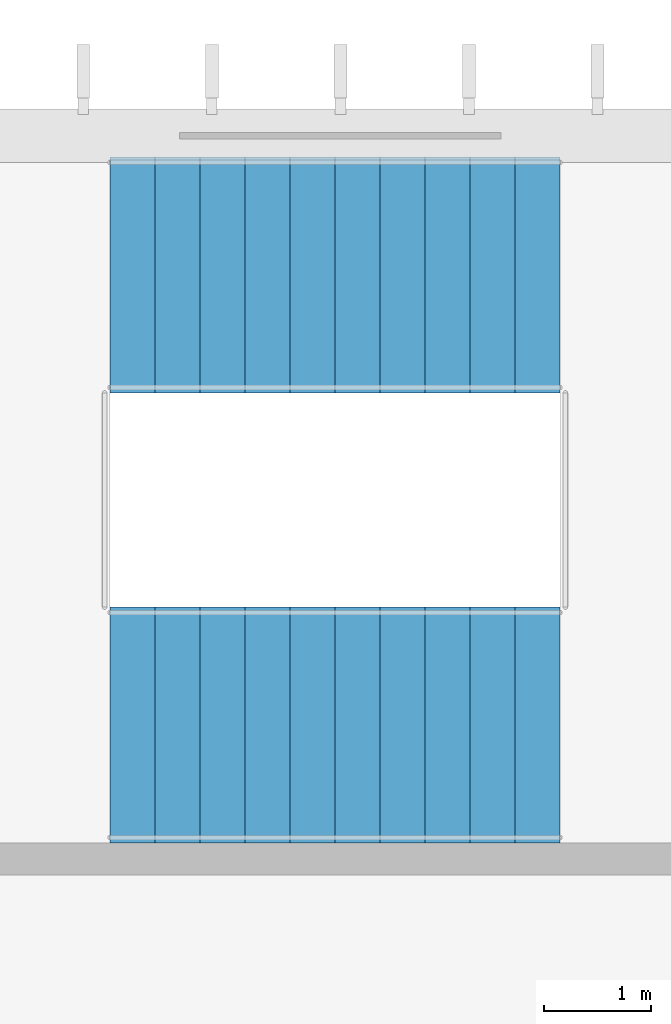
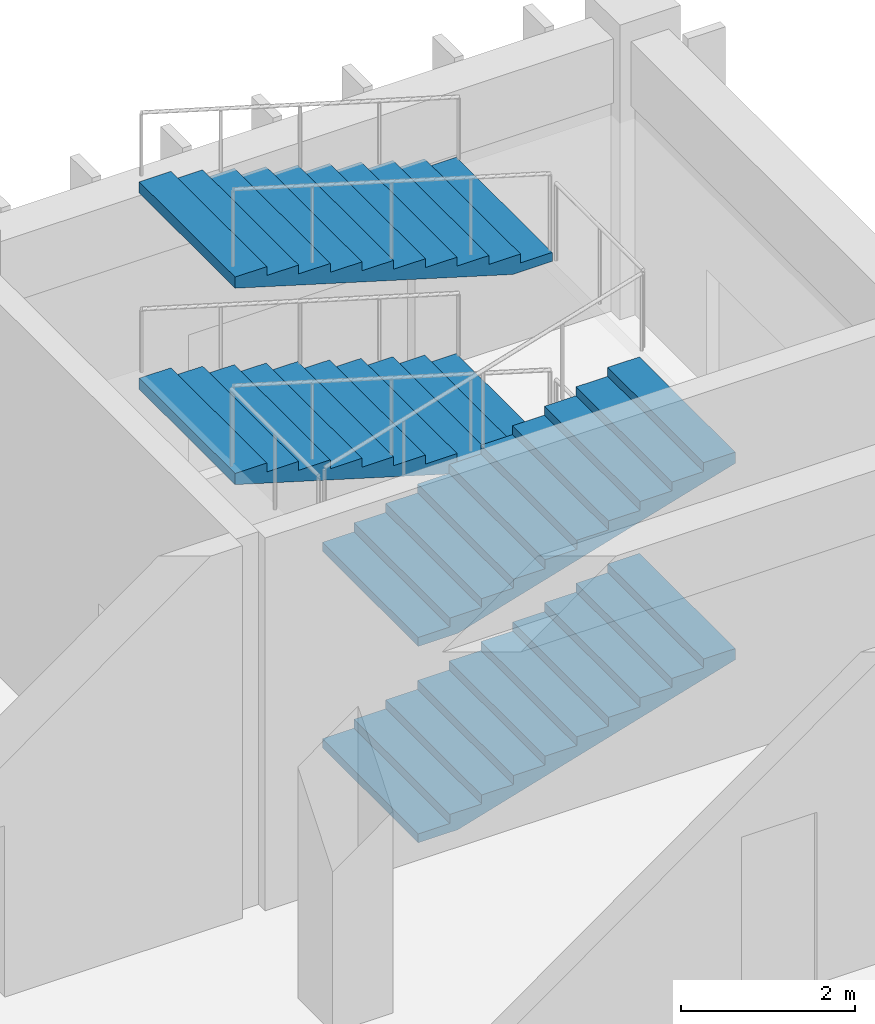
# One storey, part 284 of 437: 4 stair flights, 1 element without a shape of its own.
"""IFC4 building model written with IfcOpenShell, lengths in metres."""

from ifc_helpers import new_model, si_unit, direction, frame, origin, place, context, subcontext, project, spatial, polyline, outline, extrude, material, type_object, element, aggregate, save


model = new_model("IFC4")

# Units and contexts
model_context = context("Model", 3, precision=1e-05, world=origin(), true_north=direction((0.0, 1.0)))
body_context = subcontext(model_context, "Body", "Model", "MODEL_VIEW")
ifc_project = project(units=[si_unit("LENGTHUNIT", "METRE"), si_unit("AREAUNIT", "SQUARE_METRE"), si_unit("VOLUMEUNIT", "CUBIC_METRE"), si_unit("PLANEANGLEUNIT", "RADIAN"), si_unit("MASSUNIT", "GRAM", prefix="KILO")], contexts=[model_context])

# Site, building, storey
site_placement = place(None, origin())
site = spatial("IfcSite", under=ifc_project, at=site_placement, CompositionType="ELEMENT")
building_placement = place(site_placement, origin())
building = spatial("IfcBuilding", under=site, at=building_placement, Name="Opaline Strait Convention Centre", CompositionType="ELEMENT")
storey_placement = place(building_placement, frame((0.0, 0.0, 11.5)))
storey = spatial("IfcBuildingStorey", under=building, at=storey_placement, Name="L02", CompositionType="ELEMENT", Elevation=11.5)

# Stair, stair flights
ifc_material = material(Name="Concrete C40", Category="concrete")
stair_type = type_object("IfcStairType", Name="Escape stair half-turn 2200 concrete C40", PredefinedType="HALF_TURN_STAIR", material=ifc_material)
stair_placement = place(storey_placement, origin())
stair = element("IfcStair", 1, at=stair_placement, inside=storey, type_object=stair_type, Name="L02 Stair S7-MTG", ObjectType="MST1", PredefinedType="HALF_TURN_STAIR")
stair_flight_type = type_object("IfcStairFlightType", Name="Stair flight 2200 concrete C40", PredefinedType="STRAIGHT", material=ifc_material)
stair_flight_1_placement = place(storey_placement, frame((353.349853515625, 174.5, 0.0), z_axis=(0.0, 0.0, 1.0), x_axis=(1.0, 0.0, 0.0)))
stair_flight_1 = element("IfcStairFlight", 2, at=stair_flight_1_placement, type_object=stair_flight_type, Name="S7 flight 1", ObjectType="MSF2", NumberOfRisers=11, NumberOfTreads=10, PredefinedType="STRAIGHT", RiserHeight=0.125, TreadLength=0.42, context=body_context, shape_type="SweptSolid", body=[
    extrude(outline(polyline([(0.0, 0.0), (0.0, 0.125), (0.419921875, 0.125), (0.419921875, 0.25), (0.840087890625, 0.25), (0.840087890625, 0.375), (1.260009765625, 0.375), (1.260009765625, 0.5), (1.679931640625, 0.5), (1.679931640625, 0.625), (2.10009765625, 0.625), (2.10009765625, 0.75), (2.52001953125, 0.75), (2.52001953125, 0.875), (2.93994140625, 0.875), (2.93994140625, 1.0), (3.360107421875, 1.0), (3.360107421875, 1.125), (3.780029296875, 1.125), (3.780029296875, 1.25), (4.199951171875, 1.25), (4.199951171875, 1.375), (4.199951171875, 1.093505859375), (0.525390625, 0.0), (0.0, 0.0)])), frame((0.0, 1.10009765625, 0.0), z_axis=(0.0, -1.0, 0.0), x_axis=(1.0, 0.0, 0.0)), (0.0, 0.0, 1.0), 2.199951171875),
])
stair_flight_2_placement = place(storey_placement, frame((357.5498046875, 178.699951171875, 1.375), z_axis=(0.0, 0.0, 1.0), x_axis=(-1.0, 0.0, 0.0)))
stair_flight_2 = element("IfcStairFlight", 3, at=stair_flight_2_placement, type_object=stair_flight_type, Name="S7 flight 2", ObjectType="MSF2", NumberOfRisers=11, NumberOfTreads=10, PredefinedType="STRAIGHT", RiserHeight=0.125, TreadLength=0.42, context=body_context, shape_type="SweptSolid", body=[
    extrude(outline(polyline([(0.0, 0.0), (0.0, 0.125), (0.419921875, 0.125), (0.419921875, 0.25), (0.840087890625, 0.25), (0.840087890625, 0.375), (1.260009765625, 0.375), (1.260009765625, 0.5), (1.679931640625, 0.5), (1.679931640625, 0.625), (2.10009765625, 0.625), (2.10009765625, 0.75), (2.52001953125, 0.75), (2.52001953125, 0.875), (2.93994140625, 0.875), (2.93994140625, 1.0), (3.360107421875, 1.0), (3.360107421875, 1.125), (3.780029296875, 1.125), (3.780029296875, 1.25), (4.199951171875, 1.25), (4.199951171875, 1.375), (4.199951171875, 1.093505859375), (0.525390625, 0.0), (0.0, 0.0)])), frame((0.0, 1.10009765625, 0.0), z_axis=(0.0, -1.0, 0.0), x_axis=(1.0, 0.0, 0.0)), (0.0, 0.0, 1.0), 2.199951171875),
])
stair_flight_3_placement = place(storey_placement, frame((353.349853515625, 174.5, 2.75), z_axis=(0.0, 0.0, 1.0), x_axis=(1.0, 0.0, 0.0)))
stair_flight_3 = element("IfcStairFlight", 4, at=stair_flight_3_placement, type_object=stair_flight_type, Name="S7 flight 3", ObjectType="MSF2", NumberOfRisers=11, NumberOfTreads=10, PredefinedType="STRAIGHT", RiserHeight=0.125, TreadLength=0.42, context=body_context, shape_type="SweptSolid", body=[
    extrude(outline(polyline([(0.0, 0.0), (0.0, 0.125), (0.419921875, 0.125), (0.419921875, 0.25), (0.840087890625, 0.25), (0.840087890625, 0.375), (1.260009765625, 0.375), (1.260009765625, 0.5), (1.679931640625, 0.5), (1.679931640625, 0.625), (2.10009765625, 0.625), (2.10009765625, 0.75), (2.52001953125, 0.75), (2.52001953125, 0.875), (2.93994140625, 0.875), (2.93994140625, 1.0), (3.360107421875, 1.0), (3.360107421875, 1.125), (3.780029296875, 1.125), (3.780029296875, 1.25), (4.199951171875, 1.25), (4.199951171875, 1.375), (4.199951171875, 1.093505859375), (0.525390625, 0.0), (0.0, 0.0)])), frame((0.0, 1.10009765625, 0.0), z_axis=(0.0, -1.0, 0.0), x_axis=(1.0, 0.0, 0.0)), (0.0, 0.0, 1.0), 2.199951171875),
])
stair_flight_4_placement = place(storey_placement, frame((357.5498046875, 178.699951171875, 4.125), z_axis=(0.0, 0.0, 1.0), x_axis=(-1.0, 0.0, 0.0)))
stair_flight_4 = element("IfcStairFlight", 5, at=stair_flight_4_placement, type_object=stair_flight_type, Name="S7 flight 4", ObjectType="MSF2", NumberOfRisers=11, NumberOfTreads=10, PredefinedType="STRAIGHT", RiserHeight=0.125, TreadLength=0.42, context=body_context, shape_type="SweptSolid", body=[
    extrude(outline(polyline([(0.0, 0.0), (0.0, 0.125), (0.419921875, 0.125), (0.419921875, 0.25), (0.840087890625, 0.25), (0.840087890625, 0.375), (1.260009765625, 0.375), (1.260009765625, 0.5), (1.679931640625, 0.5), (1.679931640625, 0.625), (2.10009765625, 0.625), (2.10009765625, 0.75), (2.52001953125, 0.75), (2.52001953125, 0.875), (2.93994140625, 0.875), (2.93994140625, 1.0), (3.360107421875, 1.0), (3.360107421875, 1.125), (3.780029296875, 1.125), (3.780029296875, 1.25), (4.199951171875, 1.25), (4.199951171875, 1.375), (4.199951171875, 1.093505859375), (0.525390625, 0.0), (0.0, 0.0)])), frame((0.0, 1.10009765625, 0.0), z_axis=(0.0, -1.0, 0.0), x_axis=(1.0, 0.0, 0.0)), (0.0, 0.0, 1.0), 2.199951171875),
])
aggregate(stair, [stair_flight_1, stair_flight_2, stair_flight_3, stair_flight_4])

save(model, "model.ifc")
